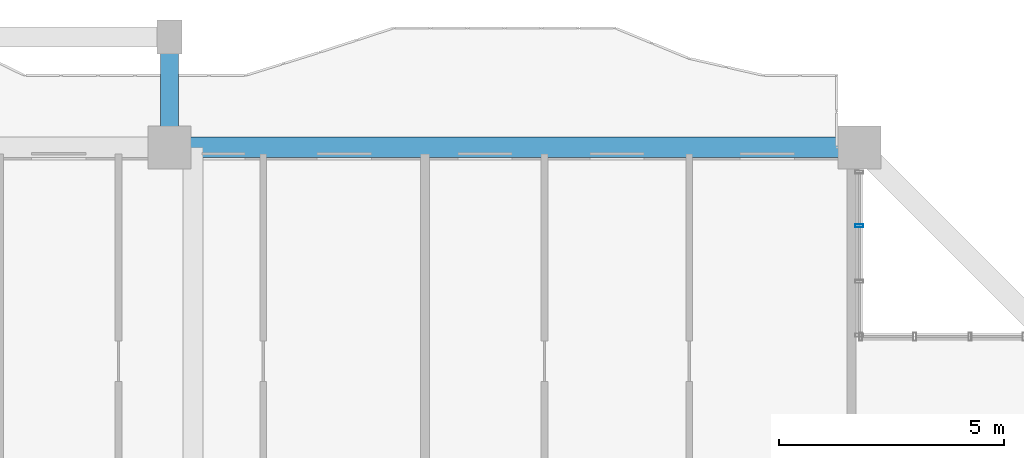
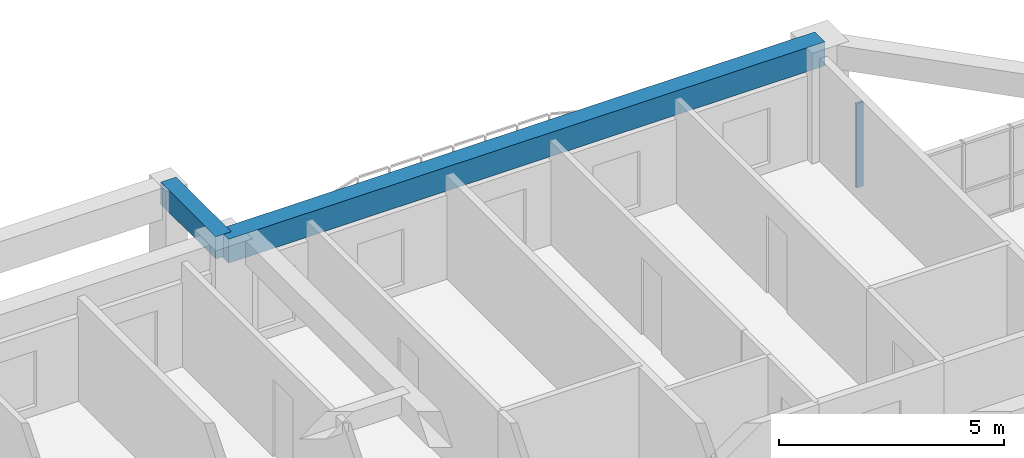
# One storey, part 11 of 26: 2 beams, 1 member, 1 element without a shape of its own.
"""IFC4 building model written with IfcOpenShell, lengths in metres."""

from ifc_helpers import new_model, si_unit, direction, frame, origin, origin_2d, place, context, subcontext, project, spatial, rectangle, hollow_rectangle, extrude, source, transform, mapped, material, layer, layer_set, material_profile, profile_set, type_object, element, aggregate, save


model = new_model("IFC4")

# Units and contexts
model_context = context("Model", 3, precision=1e-05, world=origin(), true_north=direction((0.0, 1.0)))
body_context = subcontext(model_context, "Body", "Model", "MODEL_VIEW")
ifc_project = project(units=[si_unit("LENGTHUNIT", "METRE"), si_unit("AREAUNIT", "SQUARE_METRE"), si_unit("VOLUMEUNIT", "CUBIC_METRE"), si_unit("PLANEANGLEUNIT", "RADIAN"), si_unit("MASSUNIT", "GRAM", prefix="KILO")], contexts=[model_context])

# Site, building, storey
site_placement = place(None, origin())
site = spatial("IfcSite", under=ifc_project, at=site_placement, CompositionType="ELEMENT")
building_placement = place(site_placement, origin())
building = spatial("IfcBuilding", under=site, at=building_placement, Name="Saelheon Loggia Tower", CompositionType="ELEMENT")
storey_placement = place(building_placement, frame((0.0, 0.0, 89.85009765625)))
storey = spatial("IfcBuildingStorey", under=building, at=storey_placement, Name="L28", CompositionType="ELEMENT", Elevation=89.85009765625)

# Beams
ifc_material_1 = material(Name="Precast Concrete C45/55", Category="concrete")
ifc_material_profile_1 = material_profile(ifc_material_1, rectangle(XDim=0.39990234375, YDim=0.60009765625, at=origin_2d()), Name="RC-400x600")
ifc_profile_set_1 = profile_set([ifc_material_profile_1], Name="Precast Concrete C45/55")
beam_type_1 = type_object("IfcBeamType", Name="Beam_LoggiaTie_RC400x600", PredefinedType="BEAM", material=ifc_profile_set_1)
shared_shape_1 = source(origin(), body_context, "Body", "SweptSolid", [
    extrude(rectangle(XDim=0.39990234375, YDim=0.60009765625, at=origin_2d()), origin(), (0.0, 0.0, 1.0), 2.449951171875),
])
beam_1_placement = place(storey_placement, frame((44.5, 51.0, 2.699951171875), z_axis=(0.0, 1.0, 0.0), x_axis=(-1.0, 0.0, 0.0)))
element("IfcBeam", 1, at=beam_1_placement, inside=storey, type_object=beam_type_1, Name="L28 Loggia Frame Tie Beam LP-N2", PredefinedType="BEAM", context=body_context, shape_type="MappedRepresentation", body=[
    mapped(shared_shape_1, transform((0.0, 0.0, 0.0), scale=1.0)),
])
ifc_material_2 = material(Name="Concrete C40/50", Category="concrete")
ifc_material_profile_2 = material_profile(ifc_material_2, rectangle(XDim=0.449951171875, YDim=0.64990234375, at=origin_2d()), Name="RC-450x650")
ifc_profile_set_2 = profile_set([ifc_material_profile_2], Name="Concrete C40/50")
beam_type_2 = type_object("IfcBeamType", Name="Beam_PerimTower_RC450x650", PredefinedType="BEAM", material=ifc_profile_set_2)
shared_shape_2 = source(origin(), body_context, "Body", "SweptSolid", [
    extrude(rectangle(XDim=0.449951171875, YDim=0.64990234375, at=origin_2d()), origin(), (0.0, 0.0, 1.0), 15.300048828125),
])
beam_2_placement = place(storey_placement, frame((59.800048828125, 51.0, 2.6748046875), z_axis=(-1.0, 0.0, 0.0), x_axis=(0.0, -1.0, 0.0)))
element("IfcBeam", 2, at=beam_2_placement, inside=storey, type_object=beam_type_2, Name="L28 Perimeter Frame Girder 09", PredefinedType="BEAM", context=body_context, shape_type="MappedRepresentation", body=[
    mapped(shared_shape_2, transform((0.0, 0.0, 0.0), scale=1.0)),
])

# Curtain wall, member
ifc_material_3 = material(Name="Thermal-Break Aluminium and Triple Low-E Glass", Category="aluminium")
ifc_layer = layer(ifc_material_3, 0.159912109375)
ifc_layer_set = layer_set([ifc_layer], Name="Thermal-Break Aluminium and Triple Low-E Glass")
curtain_wall_type = type_object("IfcCurtainWallType", Name="CW_TowerLoggiaLow", PredefinedType="NOTDEFINED", material=ifc_layer_set)
curtain_wall_placement = place(storey_placement, origin())
curtain_wall = element("IfcCurtainWall", 3, at=curtain_wall_placement, inside=storey, type_object=curtain_wall_type, Name="L28 Corner Notch Glazing NE1", PredefinedType="NOTDEFINED")
ifc_material_4 = material(Name="Anodised Aluminium 6063-T6", Category="aluminium")
ifc_material_profile_3 = material_profile(ifc_material_4, hollow_rectangle(XDim=0.06494140625, YDim=0.179931640625, WallThickness=0.00390625, at=origin_2d()), Name="RHS-180x65x4")
ifc_profile_set_3 = profile_set([ifc_material_profile_3], Name="Anodised Aluminium 6063-T6")
member_type = type_object("IfcMemberType", Name="CW_TowerLoggiaLow_Mullion", PredefinedType="MULLION", material=ifc_profile_set_3)
shared_shape_3 = source(origin(), body_context, "Body", "SweptSolid", [
    extrude(hollow_rectangle(XDim=0.06494140625, YDim=0.179931640625, WallThickness=0.00390625, at=origin_2d()), origin(), (0.0, 0.0, 1.0), 2.27978515625),
])
member_placement = place(storey_placement, frame((59.800048828125, 49.256591796875, 0.0), z_axis=(0.0, 0.0, 1.0), x_axis=(0.0, 1.0, 0.0)))
member = element("IfcMember", 4, at=member_placement, type_object=member_type, Name="CW3 mullion 3", PredefinedType="MULLION", context=body_context, shape_type="MappedRepresentation", body=[
    mapped(shared_shape_3, transform((0.0, 0.0, 0.0), scale=1.0)),
])
aggregate(curtain_wall, [member])

save(model, "model.ifc")
